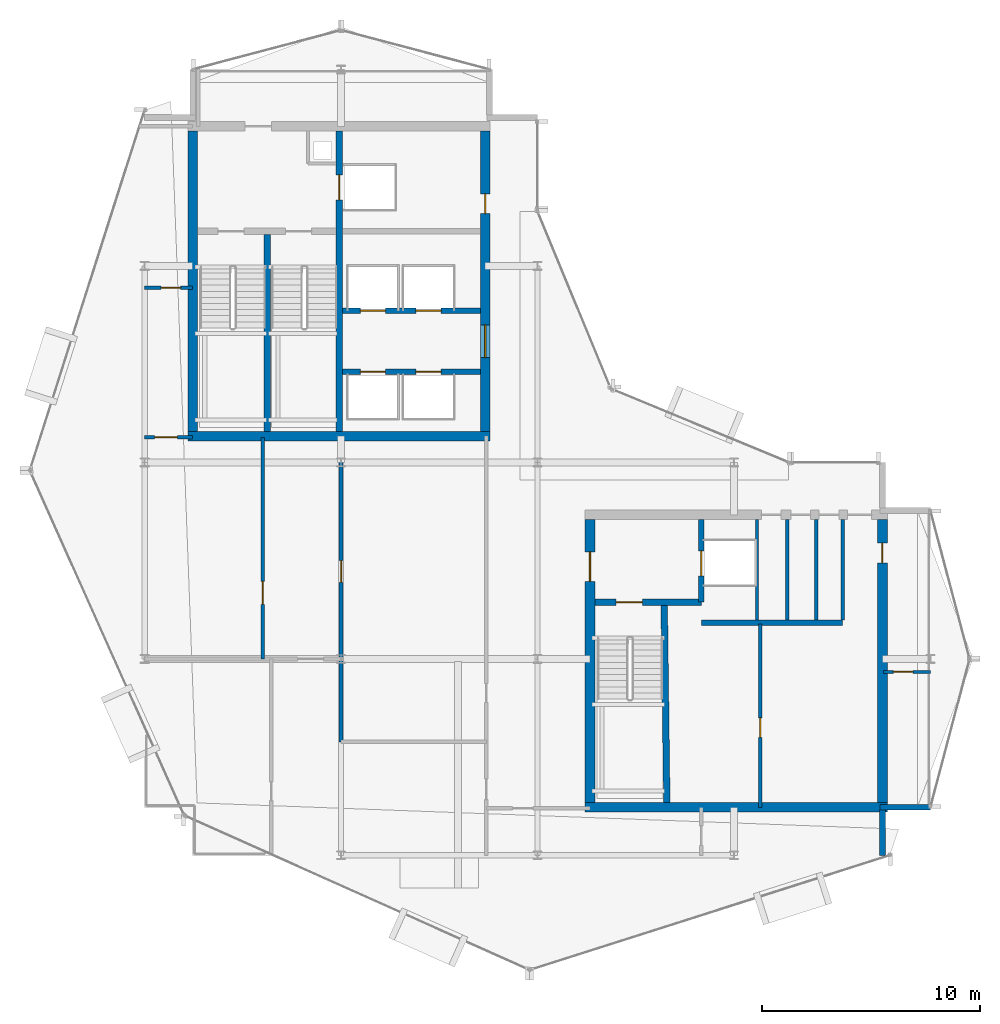
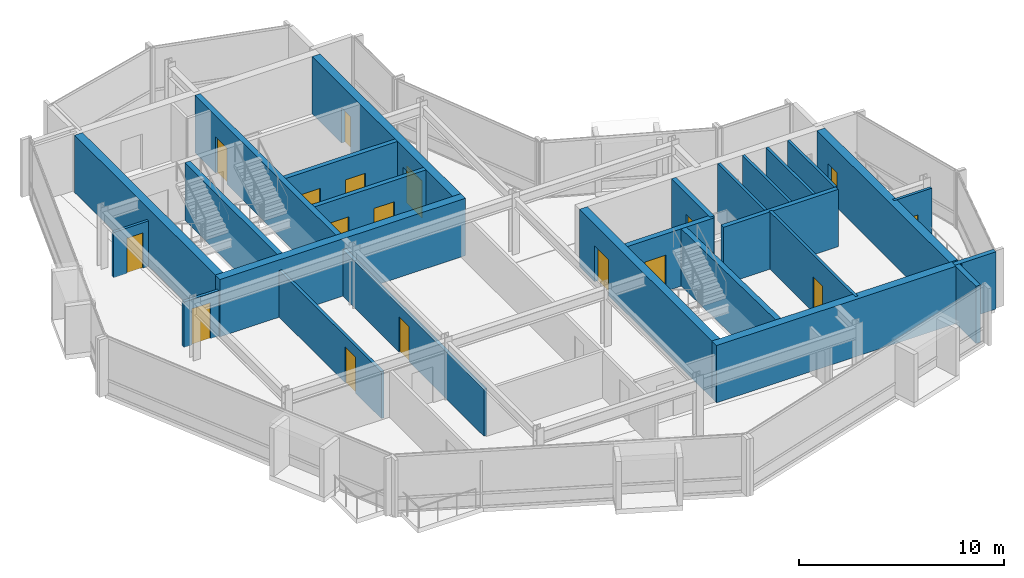
# One storey, part 14 of 19: 26 walls, 17 doors, 17 openings.
"""IFC4 building model written with IfcOpenShell, lengths in metres."""

from ifc_helpers import new_model, si_unit, direction, frame, frame_2d, origin, place, context, subcontext, project, spatial, rectangle, extrude, material, layer, layer_set, type_object, element, fill, save


model = new_model("IFC4")

# Units and contexts
model_context = context("Model", 3, precision=1e-05, world=origin(), true_north=direction((0.0, 1.0)))
body_context = subcontext(model_context, "Body", "Model", "MODEL_VIEW")
ifc_project = project(units=[si_unit("LENGTHUNIT", "METRE"), si_unit("AREAUNIT", "SQUARE_METRE"), si_unit("VOLUMEUNIT", "CUBIC_METRE"), si_unit("PLANEANGLEUNIT", "RADIAN"), si_unit("MASSUNIT", "GRAM", prefix="KILO")], contexts=[model_context])

# Site, building, storey
site_placement = place(None, origin())
site = spatial("IfcSite", under=ifc_project, at=site_placement, CompositionType="ELEMENT")
building_placement = place(site_placement, origin())
building = spatial("IfcBuilding", under=site, at=building_placement, Name="Solvaryn Broadcast Tower", CompositionType="ELEMENT")
storey_placement = place(building_placement, frame((0.0, 0.0, 255.60009765625)))
storey = spatial("IfcBuildingStorey", under=building, at=storey_placement, Name="L64", CompositionType="ELEMENT", Elevation=255.60009765625)

# Walls
ifc_material_1 = material(Name="Concrete f'c 70 MPa", Category="concrete")
ifc_layer_1 = layer(ifc_material_1, 0.449951171875)
ifc_layer_set_1 = layer_set([ifc_layer_1], Name="CW-SHEAR-450")
wall_type_1 = type_object("IfcWallType", Name="CW-SHEAR-450", PredefinedType="SHEAR", material=ifc_layer_set_1)
wall_1_placement = place(storey_placement, frame((10.97509765625, 28.199951171875, 0.0), z_axis=(0.0, 0.0, 1.0), x_axis=(1.0, 0.0, 0.0)))
element("IfcWall", 1, at=wall_1_placement, inside=storey, type_object=wall_type_1, Name="L64 West Core South Shear Wall", PredefinedType="SHEAR", context=body_context, shape_type="SweptSolid", body=[
    extrude(rectangle(XDim=13.849853515625, YDim=0.449951171875, at=frame_2d((6.9248046875, 0.0))), origin(), (0.0, 0.0, 1.0), 3.419921875),
])
wall_2_placement = place(storey_placement, frame((11.199951171875, 42.175048828125, 0.0), z_axis=(0.0, 0.0, 1.0), x_axis=(0.0, -1.0, 0.0)))
element("IfcWall", 2, at=wall_2_placement, inside=storey, type_object=wall_type_1, Name="L64 West Core West Shear Wall", PredefinedType="SHEAR", context=body_context, shape_type="SweptSolid", body=[
    extrude(rectangle(XDim=13.75, YDim=0.449951171875, at=frame_2d((6.875, 0.0))), origin(), (0.0, 0.0, 1.0), 3.419921875),
])

# Wall, openings, doors
wall_3_placement = place(storey_placement, frame((24.60009765625, 28.425048828125, 0.0), z_axis=(0.0, 0.0, 1.0), x_axis=(0.0, 1.0, 0.0)))
wall_3 = element("IfcWall", 3, at=wall_3_placement, inside=storey, type_object=wall_type_1, Name="L64 West Core East Shear Wall", PredefinedType="SHEAR", context=body_context, shape_type="SweptSolid", body=[
    extrude(rectangle(XDim=13.75, YDim=0.449951171875, at=frame_2d((6.875, 0.0))), origin(), (0.0, 0.0, 1.0), 3.419921875),
])
opening_1_placement = place(wall_3_placement, frame((3.375, 0.0, 0.0)))
opening_1 = element("IfcOpeningElement", 4, at=opening_1_placement, cuts=wall_3, Name="Opening FD60A", PredefinedType="OPENING", context=body_context, shape_type="SweptSolid", body=[
    extrude(rectangle(XDim=1.5, YDim=2.199951171875, at=frame_2d((0.75, 1.10009765625))), frame((0.0, 0.235107421875, 0.0), z_axis=(0.0, -1.0, 0.0), x_axis=(1.0, 0.0, 0.0)), (0.0, 0.0, 1.0), 0.469970703125),
])
opening_2_placement = place(wall_3_placement, frame((9.97509765625, 0.0, 0.0)))
opening_2 = element("IfcOpeningElement", 5, at=opening_2_placement, cuts=wall_3, Name="Opening FD60C", PredefinedType="OPENING", context=body_context, shape_type="SweptSolid", body=[
    extrude(rectangle(XDim=0.89990234375, YDim=2.10009765625, at=frame_2d((0.449951171875, 1.050048828125))), frame((0.0, 0.235107421875, 0.0), z_axis=(0.0, -1.0, 0.0), x_axis=(1.0, 0.0, 0.0)), (0.0, 0.0, 1.0), 0.469970703125),
])
ifc_material_2 = material(Name="Flush Acoustic Steel and Timber Door Assembly", Category="steel")
door_type_1 = type_object("IfcDoorType", Name="FD60-CORR-1500X2200", OperationType="NOTDEFINED", PredefinedType="DOOR", material=ifc_material_2)
door_1_placement = place(opening_1_placement, origin())
door_1 = element("IfcDoor", 6, at=door_1_placement, inside=storey, type_object=door_type_1, Name="L64 West Elevator Lobby Corridor Door", OperationType="DOUBLE_DOOR_SINGLE_SWING", OverallHeight=2.199951171875, OverallWidth=1.5, PredefinedType="DOOR", context=body_context, shape_type="SweptSolid", body=[
    extrude(rectangle(XDim=1.5, YDim=2.199951171875, at=frame_2d((0.75, 1.10009765625))), frame((0.0, 0.02490234375, 0.0), z_axis=(0.0, -1.0, 0.0), x_axis=(1.0, 0.0, 0.0)), (0.0, 0.0, 1.0), 0.050048828125),
])
fill(opening_1, door_1)
ifc_material_3 = material(Name="Flush Acoustic Steel and Timber Door Assembly", Category="steel")
door_type_2 = type_object("IfcDoorType", Name="FD60-SERV-900X2100", OperationType="NOTDEFINED", PredefinedType="DOOR", material=ifc_material_3)
door_2_placement = place(opening_2_placement, origin())
door_2 = element("IfcDoor", 7, at=door_2_placement, inside=storey, type_object=door_type_2, Name="L64 West Core Service Door 1", OperationType="SINGLE_SWING_LEFT", OverallHeight=2.10009765625, OverallWidth=0.89990234375, PredefinedType="DOOR", context=body_context, shape_type="SweptSolid", body=[
    extrude(rectangle(XDim=0.89990234375, YDim=2.10009765625, at=frame_2d((0.449951171875, 1.050048828125))), frame((0.0, 0.02490234375, 0.0), z_axis=(0.0, -1.0, 0.0), x_axis=(1.0, 0.0, 0.0)), (0.0, 0.0, 1.0), 0.050048828125),
])
fill(opening_2, door_2)

# Wall
wall_4_placement = place(storey_placement, frame((29.175048828125, 11.199951171875, 0.0), z_axis=(0.0, 0.0, 1.0), x_axis=(1.0, 0.0, 0.0)))
element("IfcWall", 8, at=wall_4_placement, inside=storey, type_object=wall_type_1, Name="L64 East Core South Shear Wall", PredefinedType="SHEAR", context=body_context, shape_type="SweptSolid", body=[
    extrude(rectangle(XDim=13.849853515625, YDim=0.449951171875, at=frame_2d((6.9248046875, 0.0))), origin(), (0.0, 0.0, 1.0), 3.419921875),
])

# Wall, opening, door
wall_5_placement = place(storey_placement, frame((29.39990234375, 24.375, 0.0), z_axis=(0.0, 0.0, 1.0), x_axis=(0.0, -1.0, 0.0)))
wall_5 = element("IfcWall", 9, at=wall_5_placement, inside=storey, type_object=wall_type_1, Name="L64 East Core West Shear Wall", PredefinedType="SHEAR", context=body_context, shape_type="SweptSolid", body=[
    extrude(rectangle(XDim=12.949951171875, YDim=0.449951171875, at=frame_2d((6.47509765625, 0.0))), origin(), (0.0, 0.0, 1.0), 3.419921875),
])
opening_3_placement = place(wall_5_placement, frame((1.47509765625, 0.0, 0.0)))
opening_3 = element("IfcOpeningElement", 10, at=opening_3_placement, cuts=wall_5, Name="Opening FD90B", PredefinedType="OPENING", context=body_context, shape_type="SweptSolid", body=[
    extrude(rectangle(XDim=1.35009765625, YDim=2.14990234375, at=frame_2d((0.675048828125, 1.074951171875))), frame((0.0, 0.235107421875, 0.0), z_axis=(0.0, -1.0, 0.0), x_axis=(1.0, 0.0, 0.0)), (0.0, 0.0, 1.0), 0.469970703125),
])
ifc_material_4 = material(Name="Flush Acoustic Steel and Timber Door Assembly", Category="steel")
door_type_3 = type_object("IfcDoorType", Name="FD90-LOBBY-1350X2150", OperationType="NOTDEFINED", PredefinedType="DOOR", material=ifc_material_4)
door_3_placement = place(opening_3_placement, origin())
door_3 = element("IfcDoor", 11, at=door_3_placement, inside=storey, type_object=door_type_3, Name="L64 East FSAE Lobby Door", OperationType="SINGLE_SWING_RIGHT", OverallHeight=2.14990234375, OverallWidth=1.35009765625, PredefinedType="DOOR", context=body_context, shape_type="SweptSolid", body=[
    extrude(rectangle(XDim=1.35009765625, YDim=2.14990234375, at=frame_2d((0.675048828125, 1.074951171875))), frame((0.0, 0.02490234375, 0.0), z_axis=(0.0, -1.0, 0.0), x_axis=(1.0, 0.0, 0.0)), (0.0, 0.0, 1.0), 0.050048828125),
])
fill(opening_3, door_3)

wall_6_placement = place(storey_placement, frame((42.800048828125, 11.425048828125, 0.0), z_axis=(0.0, 0.0, 1.0), x_axis=(0.0, 1.0, 0.0)))
wall_6 = element("IfcWall", 12, at=wall_6_placement, inside=storey, type_object=wall_type_1, Name="L64 East Core East Shear Wall", PredefinedType="SHEAR", context=body_context, shape_type="SweptSolid", body=[
    extrude(rectangle(XDim=12.949951171875, YDim=0.449951171875, at=frame_2d((6.47509765625, 0.0))), origin(), (0.0, 0.0, 1.0), 3.419921875),
])
opening_4_placement = place(wall_6_placement, frame((10.97509765625, 0.0, 0.0)))
opening_4 = element("IfcOpeningElement", 13, at=opening_4_placement, cuts=wall_6, Name="Opening FD60C", PredefinedType="OPENING", context=body_context, shape_type="SweptSolid", body=[
    extrude(rectangle(XDim=0.89990234375, YDim=2.10009765625, at=frame_2d((0.449951171875, 1.050048828125))), frame((0.0, 0.235107421875, 0.0), z_axis=(0.0, -1.0, 0.0), x_axis=(1.0, 0.0, 0.0)), (0.0, 0.0, 1.0), 0.469970703125),
])
door_4_placement = place(opening_4_placement, origin())
door_4 = element("IfcDoor", 14, at=door_4_placement, inside=storey, type_object=door_type_2, Name="L64 Upper East Studio Door", OperationType="SINGLE_SWING_RIGHT", OverallHeight=2.10009765625, OverallWidth=0.89990234375, PredefinedType="DOOR", context=body_context, shape_type="SweptSolid", body=[
    extrude(rectangle(XDim=0.89990234375, YDim=2.10009765625, at=frame_2d((0.449951171875, 1.050048828125))), frame((0.0, 0.02490234375, 0.0), z_axis=(0.0, -1.0, 0.0), x_axis=(1.0, 0.0, 0.0)), (0.0, 0.0, 1.0), 0.050048828125),
])
fill(opening_4, door_4)

# Walls
ifc_material_5 = material(Name="Concrete f'c 50 MPa", Category="concrete")
ifc_layer_2 = layer(ifc_material_5, 0.260009765625)
ifc_layer_set_2 = layer_set([ifc_layer_2], Name="EW-PIER-260")
wall_type_2 = type_object("IfcWallType", Name="EW-PIER-260", PredefinedType="SOLIDWALL", material=ifc_layer_set_2)
wall_7_placement = place(storey_placement, frame((42.800048828125, 9.0, 0.0), z_axis=(0.0, 0.0, 1.0), x_axis=(0.0, 1.0, 0.0)))
element("IfcWall", 15, at=wall_7_placement, inside=storey, type_object=wall_type_2, Name="L64 Notched Corner Pier Wall NSE1", PredefinedType="SOLIDWALL", context=body_context, shape_type="SweptSolid", body=[
    extrude(rectangle(XDim=2.080078125, YDim=0.260009765625, at=frame_2d((1.0400390625, 0.0))), origin(), (0.0, 0.0, 1.0), 3.419921875),
])
wall_8_placement = place(storey_placement, frame((42.679931640625, 11.199951171875, 0.0), z_axis=(0.0, 0.0, 1.0), x_axis=(1.0, 0.0, 0.0)))
element("IfcWall", 16, at=wall_8_placement, inside=storey, type_object=wall_type_2, Name="L64 Notched Corner Pier Wall NSE2", PredefinedType="SOLIDWALL", context=body_context, shape_type="SweptSolid", body=[
    extrude(rectangle(XDim=2.320068359375, YDim=0.260009765625, at=frame_2d((1.16015625, 0.0))), origin(), (0.0, 0.0, 1.0), 3.419921875),
])

# Wall, opening, door
ifc_material_6 = material(Name="Metal-Stud Service Core Partition")
ifc_layer_3 = layer(ifc_material_6, 0.14990234375)
ifc_layer_set_3 = layer_set([ifc_layer_3], Name="IW-PART-150")
wall_type_3 = type_object("IfcWallType", Name="IW-PART-150", PredefinedType="PARTITIONING", material=ifc_layer_set_3)
wall_9_placement = place(storey_placement, frame((37.199951171875, 11.199951171875, 0.0), z_axis=(0.0, 0.0, 1.0), x_axis=(0.0, 1.0, 0.0)))
wall_9 = element("IfcWall", 17, at=wall_9_placement, inside=storey, type_object=wall_type_3, Name="L64 Interior Partition IW-L64-RPM-V", PredefinedType="PARTITIONING", context=body_context, shape_type="SweptSolid", body=[
    extrude(rectangle(XDim=8.400146484375, YDim=0.14990234375, at=frame_2d((4.2001953125, 0.0))), origin(), (0.0, 0.0, 1.0), 3.419921875),
])
opening_5_placement = place(wall_9_placement, frame((3.199951171875, 0.0, 0.0)))
opening_5 = element("IfcOpeningElement", 18, at=opening_5_placement, cuts=wall_9, Name="Opening FD60C", PredefinedType="OPENING", context=body_context, shape_type="SweptSolid", body=[
    extrude(rectangle(XDim=0.89990234375, YDim=2.10009765625, at=frame_2d((0.449951171875, 1.050048828125))), frame((0.0, 0.0849609375, 0.0), z_axis=(0.0, -1.0, 0.0), x_axis=(1.0, 0.0, 0.0)), (0.0, 0.0, 1.0), 0.169921875),
])
door_5_placement = place(opening_5_placement, origin())
door_5 = element("IfcDoor", 19, at=door_5_placement, inside=storey, type_object=door_type_2, Name="L64 Door DR-L64-RPM1", OperationType="SINGLE_SWING_LEFT", OverallHeight=2.10009765625, OverallWidth=0.89990234375, PredefinedType="DOOR", context=body_context, shape_type="SweptSolid", body=[
    extrude(rectangle(XDim=0.89990234375, YDim=2.10009765625, at=frame_2d((0.449951171875, 1.050048828125))), frame((0.0, 0.02490234375, 0.0), z_axis=(0.0, -1.0, 0.0), x_axis=(1.0, 0.0, 0.0)), (0.0, 0.0, 1.0), 0.050048828125),
])
fill(opening_5, door_5)

# Walls
for number, where, z_axis, x_axis, name in (
    (20, (37.050048828125, 19.780029296875, 0.0), (0.0, 0.0, 1.0), (0.0, 1.0, 0.0), "L64 Interior Partition IW-L64-CE-FL2E"),
    (21, (38.43994140625, 19.780029296875, 0.0), (0.0, 0.0, 1.0), (0.0, 1.0, 0.0), "L64 Interior Partition IW-L64-CE-V1"),
    (22, (39.77001953125, 19.780029296875, 0.0), (0.0, 0.0, 1.0), (0.0, 1.0, 0.0), "L64 Interior Partition IW-L64-CE-V2"),
    (23, (40.97998046875, 19.780029296875, 0.0), (0.0, 0.0, 1.0), (0.0, 1.0, 0.0), "L64 Interior Partition IW-L64-CE-V3"),
):
    element("IfcWall", number, at=place(storey_placement, frame(where, z_axis=z_axis, x_axis=x_axis)), inside=storey, type_object=wall_type_3, Name=name, PredefinedType="PARTITIONING", context=body_context, shape_type="SweptSolid", body=[
        extrude(rectangle(XDim=4.594970703125, YDim=0.14990234375, at=frame_2d((2.29736328125, 0.0))), origin(), (0.0, 0.0, 1.0), 3.419921875),
    ])

# Wall, opening, door
wall_10_placement = place(storey_placement, frame((9.0, 35.0, 0.0), z_axis=(0.0, 0.0, 1.0), x_axis=(1.0, 0.0, 0.0)))
wall_10 = element("IfcWall", 24, at=wall_10_placement, inside=storey, type_object=wall_type_3, Name="L64 Interior Partition IW-L64-WM-M", PredefinedType="PARTITIONING", context=body_context, shape_type="SweptSolid", body=[
    extrude(rectangle(XDim=2.199951171875, YDim=0.14990234375, at=frame_2d((1.10009765625, 0.0))), origin(), (0.0, 0.0, 1.0), 2.706787109375),
])
opening_6_placement = place(wall_10_placement, frame((0.75, 0.0, 0.0)))
opening_6 = element("IfcOpeningElement", 25, at=opening_6_placement, cuts=wall_10, Name="Opening FD60C", PredefinedType="OPENING", context=body_context, shape_type="SweptSolid", body=[
    extrude(rectangle(XDim=0.89990234375, YDim=2.10009765625, at=frame_2d((0.449951171875, 1.050048828125))), frame((0.0, 0.0849609375, 0.0), z_axis=(0.0, -1.0, 0.0), x_axis=(1.0, 0.0, 0.0)), (0.0, 0.0, 1.0), 0.169921875),
])
door_6_placement = place(opening_6_placement, origin())
door_6 = element("IfcDoor", 26, at=door_6_placement, inside=storey, type_object=door_type_2, Name="L64 Door DR-L64-WM1", OperationType="SINGLE_SWING_LEFT", OverallHeight=2.10009765625, OverallWidth=0.89990234375, PredefinedType="DOOR", context=body_context, shape_type="SweptSolid", body=[
    extrude(rectangle(XDim=0.89990234375, YDim=2.10009765625, at=frame_2d((0.449951171875, 1.050048828125))), frame((0.0, 0.02490234375, 0.0), z_axis=(0.0, -1.0, 0.0), x_axis=(1.0, 0.0, 0.0)), (0.0, 0.0, 1.0), 0.050048828125),
])
fill(opening_6, door_6)

wall_11_placement = place(storey_placement, frame((42.85009765625, 17.39990234375, 0.0), z_axis=(0.0, 0.0, 1.0), x_axis=(1.0, 0.0, 0.0)))
wall_11 = element("IfcWall", 27, at=wall_11_placement, inside=storey, type_object=wall_type_3, Name="L64 Interior Partition IW-L64-E4M", PredefinedType="PARTITIONING", context=body_context, shape_type="SweptSolid", body=[
    extrude(rectangle(XDim=2.14990234375, YDim=0.14990234375, at=frame_2d((1.074951171875, 0.0))), origin(), (0.0, 0.0, 1.0), 3.419921875),
])
opening_7_placement = place(wall_11_placement, frame((0.449951171875, 0.0, 0.0)))
opening_7 = element("IfcOpeningElement", 28, at=opening_7_placement, cuts=wall_11, Name="Opening FD60C", PredefinedType="OPENING", context=body_context, shape_type="SweptSolid", body=[
    extrude(rectangle(XDim=0.89990234375, YDim=2.10009765625, at=frame_2d((0.449951171875, 1.050048828125))), frame((0.0, 0.0849609375, 0.0), z_axis=(0.0, -1.0, 0.0), x_axis=(1.0, 0.0, 0.0)), (0.0, 0.0, 1.0), 0.169921875),
])
door_7_placement = place(opening_7_placement, origin())
door_7 = element("IfcDoor", 29, at=door_7_placement, inside=storey, type_object=door_type_2, Name="L64 Door DR-L64-E4M", OperationType="SINGLE_SWING_RIGHT", OverallHeight=2.10009765625, OverallWidth=0.89990234375, PredefinedType="DOOR", context=body_context, shape_type="SweptSolid", body=[
    extrude(rectangle(XDim=0.89990234375, YDim=2.10009765625, at=frame_2d((0.449951171875, 1.050048828125))), frame((0.0, 0.02490234375, 0.0), z_axis=(0.0, -1.0, 0.0), x_axis=(1.0, 0.0, 0.0)), (0.0, 0.0, 1.0), 0.050048828125),
])
fill(opening_7, door_7)

ifc_material_7 = material(Name="Metal-Stud Gypsum Office Partition")
ifc_layer_4 = layer(ifc_material_7, 0.159912109375)
ifc_layer_set_4 = layer_set([ifc_layer_4], Name="IW-PART-160")
wall_type_4 = type_object("IfcWallType", Name="IW-PART-160", PredefinedType="PARTITIONING", material=ifc_layer_set_4)
wall_12_placement = place(storey_placement, frame((9.0, 28.14990234375, 0.0), z_axis=(0.0, 0.0, 1.0), x_axis=(1.0, 0.0, 0.0)))
wall_12 = element("IfcWall", 30, at=wall_12_placement, inside=storey, type_object=wall_type_4, Name="L64 Interior Partition IW-L64-WM-S", PredefinedType="PARTITIONING", context=body_context, shape_type="SweptSolid", body=[
    extrude(rectangle(XDim=2.199951171875, YDim=0.159912109375, at=frame_2d((1.10009765625, 0.0))), origin(), (0.0, 0.0, 1.0), 2.706787109375),
])
opening_8_placement = place(wall_12_placement, frame((0.449951171875, 0.0, 0.0)))
opening_8 = element("IfcOpeningElement", 31, at=opening_8_placement, cuts=wall_12, Name="Opening ID03", PredefinedType="OPENING", context=body_context, shape_type="SweptSolid", body=[
    extrude(rectangle(XDim=1.050048828125, YDim=2.14990234375, at=frame_2d((0.52490234375, 1.074951171875))), frame((0.0, 0.090087890625, 0.0), z_axis=(0.0, -1.0, 0.0), x_axis=(1.0, 0.0, 0.0)), (0.0, 0.0, 1.0), 0.179931640625),
])
ifc_material_8 = material(Name="Flush Acoustic Steel and Timber Door Assembly", Category="steel")
door_type_4 = type_object("IfcDoorType", Name="ID-03-1050X2150", OperationType="NOTDEFINED", PredefinedType="DOOR", material=ifc_material_8)
door_8_placement = place(opening_8_placement, origin())
door_8 = element("IfcDoor", 32, at=door_8_placement, inside=storey, type_object=door_type_4, Name="L64 Door DR-L64-WM0", OperationType="SINGLE_SWING_RIGHT", OverallHeight=2.14990234375, OverallWidth=1.050048828125, PredefinedType="DOOR", context=body_context, shape_type="SweptSolid", body=[
    extrude(rectangle(XDim=1.050048828125, YDim=2.14990234375, at=frame_2d((0.52490234375, 1.074951171875))), frame((0.0, 0.02490234375, 0.0), z_axis=(0.0, -1.0, 0.0), x_axis=(1.0, 0.0, 0.0)), (0.0, 0.0, 1.0), 0.050048828125),
])
fill(opening_8, door_8)

wall_13_placement = place(storey_placement, frame((14.39990234375, 18.0, 0.0), z_axis=(0.0, 0.0, 1.0), x_axis=(0.0, 1.0, 0.0)))
wall_13 = element("IfcWall", 33, at=wall_13_placement, inside=storey, type_object=wall_type_4, Name="L64 Interior Partition IW-L64-SW-NWV", PredefinedType="PARTITIONING", context=body_context, shape_type="SweptSolid", body=[
    extrude(rectangle(XDim=10.1298828125, YDim=0.159912109375, at=frame_2d((5.06494140625, 0.0))), origin(), (0.0, 0.0, 1.0), 2.788818359375),
])
opening_9_placement = place(wall_13_placement, frame((2.5, 0.0, 0.0)))
opening_9 = element("IfcOpeningElement", 34, at=opening_9_placement, cuts=wall_13, Name="Opening ID03", PredefinedType="OPENING", context=body_context, shape_type="SweptSolid", body=[
    extrude(rectangle(XDim=1.050048828125, YDim=2.14990234375, at=frame_2d((0.52490234375, 1.074951171875))), frame((0.0, 0.090087890625, 0.0), z_axis=(0.0, -1.0, 0.0), x_axis=(1.0, 0.0, 0.0)), (0.0, 0.0, 1.0), 0.179931640625),
])
door_9_placement = place(opening_9_placement, origin())
door_9 = element("IfcDoor", 35, at=door_9_placement, inside=storey, type_object=door_type_4, Name="L64 Door DR-L64-SWL-NW", OperationType="SINGLE_SWING_LEFT", OverallHeight=2.14990234375, OverallWidth=1.050048828125, PredefinedType="DOOR", context=body_context, shape_type="SweptSolid", body=[
    extrude(rectangle(XDim=1.050048828125, YDim=2.14990234375, at=frame_2d((0.52490234375, 1.074951171875))), frame((0.0, 0.02490234375, 0.0), z_axis=(0.0, -1.0, 0.0), x_axis=(1.0, 0.0, 0.0)), (0.0, 0.0, 1.0), 0.050048828125),
])
fill(opening_9, door_9)

ifc_material_9 = material(Name="Acoustic Metal-Stud Gypsum Partition")
ifc_layer_5 = layer(ifc_material_9, 0.179931640625)
ifc_layer_set_5 = layer_set([ifc_layer_5], Name="IW-PART-180")
wall_type_5 = type_object("IfcWallType", Name="IW-PART-180", PredefinedType="PARTITIONING", material=ifc_layer_set_5)
wall_14_placement = place(storey_placement, frame((18.0, 14.199951171875, 0.0), z_axis=(0.0, 0.0, 1.0), x_axis=(0.0, 1.0, 0.0)))
wall_14 = element("IfcWall", 36, at=wall_14_placement, inside=storey, type_object=wall_type_5, Name="L64 Interior Partition IW-L64-SW-LV", PredefinedType="PARTITIONING", context=body_context, shape_type="SweptSolid", body=[
    extrude(rectangle(XDim=13.929931640625, YDim=0.179931640625, at=frame_2d((6.96484375, 0.0))), origin(), (0.0, 0.0, 1.0), 2.788818359375),
])
opening_10_placement = place(wall_14_placement, frame((7.300048828125, 0.0, 0.0)))
opening_10 = element("IfcOpeningElement", 37, at=opening_10_placement, cuts=wall_14, Name="Opening ID02", PredefinedType="OPENING", context=body_context, shape_type="SweptSolid", body=[
    extrude(rectangle(XDim=1.0, YDim=2.10009765625, at=frame_2d((0.5, 1.050048828125))), frame((0.0, 0.099853515625, 0.0), z_axis=(0.0, -1.0, 0.0), x_axis=(1.0, 0.0, 0.0)), (0.0, 0.0, 1.0), 0.199951171875),
])
ifc_material_10 = material(Name="Flush Acoustic Steel and Timber Door Assembly", Category="steel")
door_type_5 = type_object("IfcDoorType", Name="ID-02-1000X2100", OperationType="NOTDEFINED", PredefinedType="DOOR", material=ifc_material_10)
door_10_placement = place(opening_10_placement, origin())
door_10 = element("IfcDoor", 38, at=door_10_placement, inside=storey, type_object=door_type_5, Name="L64 Door DR-L64-SWL-LV", OperationType="SINGLE_SWING_RIGHT", OverallHeight=2.10009765625, OverallWidth=1.0, PredefinedType="DOOR", context=body_context, shape_type="SweptSolid", body=[
    extrude(rectangle(XDim=1.0, YDim=2.10009765625, at=frame_2d((0.5, 1.050048828125))), frame((0.0, 0.02490234375, 0.0), z_axis=(0.0, -1.0, 0.0), x_axis=(1.0, 0.0, 0.0)), (0.0, 0.0, 1.0), 0.050048828125),
])
fill(opening_10, door_10)

# Wall, openings, doors
ifc_material_11 = material(Name="Concrete f'c 60 MPa", Category="concrete")
ifc_layer_6 = layer(ifc_material_11, 0.25)
ifc_layer_set_6 = layer_set([ifc_layer_6], Name="SW-SHAFT-250")
wall_type_6 = type_object("IfcWallType", Name="SW-SHAFT-250", PredefinedType="PARTITIONING", material=ifc_layer_set_6)
wall_15_placement = place(storey_placement, frame((18.070068359375, 31.14990234375, 0.0), z_axis=(0.0, 0.0, 1.0), x_axis=(1.0, 0.0, 0.0)))
wall_15 = element("IfcWall", 39, at=wall_15_placement, inside=storey, type_object=wall_type_6, Name="L64 High-Rise Lift Bank South Wall", PredefinedType="PARTITIONING", context=body_context, shape_type="SweptSolid", body=[
    extrude(rectangle(XDim=6.304931640625, YDim=0.25, at=frame_2d((3.15234375, 0.0))), origin(), (0.0, 0.0, 1.0), 3.419921875),
])
opening_11_placement = place(wall_15_placement, frame((0.804931640625, 0.0, 0.0)))
opening_11 = element("IfcOpeningElement", 40, at=opening_11_placement, cuts=wall_15, Name="Opening LD01", PredefinedType="OPENING", context=body_context, shape_type="SweptSolid", body=[
    extrude(rectangle(XDim=1.14990234375, YDim=2.14990234375, at=frame_2d((0.574951171875, 1.074951171875))), frame((0.0, 0.135009765625, 0.0), z_axis=(0.0, -1.0, 0.0), x_axis=(1.0, 0.0, 0.0)), (0.0, 0.0, 1.0), 0.27001953125),
])
opening_12_placement = place(wall_15_placement, frame((3.35498046875, 0.0, 0.0)))
opening_12 = element("IfcOpeningElement", 41, at=opening_12_placement, cuts=wall_15, Name="Opening LD01", PredefinedType="OPENING", context=body_context, shape_type="SweptSolid", body=[
    extrude(rectangle(XDim=1.14990234375, YDim=2.14990234375, at=frame_2d((0.574951171875, 1.074951171875))), frame((0.0, 0.135009765625, 0.0), z_axis=(0.0, -1.0, 0.0), x_axis=(1.0, 0.0, 0.0)), (0.0, 0.0, 1.0), 0.27001953125),
])
ifc_material_12 = material(Name="Flush Acoustic Steel and Timber Door Assembly", Category="steel")
door_type_6 = type_object("IfcDoorType", Name="LD-LIFT-1150X2150", OperationType="NOTDEFINED", PredefinedType="DOOR", material=ifc_material_12)
door_11_placement = place(opening_11_placement, origin())
door_11 = element("IfcDoor", 42, at=door_11_placement, inside=storey, type_object=door_type_6, Name="L64 PH1 Lift Landing Door", OperationType="DOUBLE_DOOR_SLIDING", OverallHeight=2.14990234375, OverallWidth=1.14990234375, PredefinedType="DOOR", context=body_context, shape_type="SweptSolid", body=[
    extrude(rectangle(XDim=1.14990234375, YDim=2.14990234375, at=frame_2d((0.574951171875, 1.074951171875))), frame((0.0, 0.02490234375, 0.0), z_axis=(0.0, -1.0, 0.0), x_axis=(1.0, 0.0, 0.0)), (0.0, 0.0, 1.0), 0.050048828125),
])
fill(opening_11, door_11)
door_12_placement = place(opening_12_placement, origin())
door_12 = element("IfcDoor", 43, at=door_12_placement, inside=storey, type_object=door_type_6, Name="L64 PH2 Lift Landing Door", OperationType="DOUBLE_DOOR_SLIDING", OverallHeight=2.14990234375, OverallWidth=1.14990234375, PredefinedType="DOOR", context=body_context, shape_type="SweptSolid", body=[
    extrude(rectangle(XDim=1.14990234375, YDim=2.14990234375, at=frame_2d((0.574951171875, 1.074951171875))), frame((0.0, 0.02490234375, 0.0), z_axis=(0.0, -1.0, 0.0), x_axis=(1.0, 0.0, 0.0)), (0.0, 0.0, 1.0), 0.050048828125),
])
fill(opening_12, door_12)

wall_16_placement = place(storey_placement, frame((24.375, 33.949951171875, 0.0), z_axis=(0.0, 0.0, 1.0), x_axis=(-1.0, 0.0, 0.0)))
wall_16 = element("IfcWall", 44, at=wall_16_placement, inside=storey, type_object=wall_type_6, Name="L64 High-Rise Lift Bank North Wall", PredefinedType="PARTITIONING", context=body_context, shape_type="SweptSolid", body=[
    extrude(rectangle(XDim=6.304931640625, YDim=0.25, at=frame_2d((3.15234375, 0.0))), origin(), (0.0, 0.0, 1.0), 3.419921875),
])
opening_13_placement = place(wall_16_placement, frame((4.35009765625, 0.0, 0.0)))
opening_13 = element("IfcOpeningElement", 45, at=opening_13_placement, cuts=wall_16, Name="Opening LD01", PredefinedType="OPENING", context=body_context, shape_type="SweptSolid", body=[
    extrude(rectangle(XDim=1.14990234375, YDim=2.14990234375, at=frame_2d((0.574951171875, 1.074951171875))), frame((0.0, 0.135009765625, 0.0), z_axis=(0.0, -1.0, 0.0), x_axis=(1.0, 0.0, 0.0)), (0.0, 0.0, 1.0), 0.27001953125),
])
opening_14_placement = place(wall_16_placement, frame((1.800048828125, 0.0, 0.0)))
opening_14 = element("IfcOpeningElement", 46, at=opening_14_placement, cuts=wall_16, Name="Opening LD01", PredefinedType="OPENING", context=body_context, shape_type="SweptSolid", body=[
    extrude(rectangle(XDim=1.14990234375, YDim=2.14990234375, at=frame_2d((0.574951171875, 1.074951171875))), frame((0.0, 0.135009765625, 0.0), z_axis=(0.0, -1.0, 0.0), x_axis=(1.0, 0.0, 0.0)), (0.0, 0.0, 1.0), 0.27001953125),
])
door_13_placement = place(opening_13_placement, origin())
door_13 = element("IfcDoor", 47, at=door_13_placement, inside=storey, type_object=door_type_6, Name="L64 PH3 Lift Landing Door", OperationType="DOUBLE_DOOR_SLIDING", OverallHeight=2.14990234375, OverallWidth=1.14990234375, PredefinedType="DOOR", context=body_context, shape_type="SweptSolid", body=[
    extrude(rectangle(XDim=1.14990234375, YDim=2.14990234375, at=frame_2d((0.574951171875, 1.074951171875))), frame((0.0, 0.02490234375, 0.0), z_axis=(0.0, -1.0, 0.0), x_axis=(1.0, 0.0, 0.0)), (0.0, 0.0, 1.0), 0.050048828125),
])
fill(opening_13, door_13)
door_14_placement = place(opening_14_placement, origin())
door_14 = element("IfcDoor", 48, at=door_14_placement, inside=storey, type_object=door_type_6, Name="L64 PH4 Lift Landing Door", OperationType="DOUBLE_DOOR_SLIDING", OverallHeight=2.14990234375, OverallWidth=1.14990234375, PredefinedType="DOOR", context=body_context, shape_type="SweptSolid", body=[
    extrude(rectangle(XDim=1.14990234375, YDim=2.14990234375, at=frame_2d((0.574951171875, 1.074951171875))), frame((0.0, 0.02490234375, 0.0), z_axis=(0.0, -1.0, 0.0), x_axis=(1.0, 0.0, 0.0)), (0.0, 0.0, 1.0), 0.050048828125),
])
fill(opening_14, door_14)

# Wall, opening, door
wall_17_placement = place(storey_placement, frame((34.5, 20.60009765625, 0.0), z_axis=(0.0, 0.0, 1.0), x_axis=(0.0, 1.0, 0.0)))
wall_17 = element("IfcWall", 49, at=wall_17_placement, inside=storey, type_object=wall_type_6, Name="L64 East FSAE Lobby East Wall", PredefinedType="PARTITIONING", context=body_context, shape_type="SweptSolid", body=[
    extrude(rectangle(XDim=3.77490234375, YDim=0.25, at=frame_2d((1.887451171875, 0.0))), origin(), (0.0, 0.0, 1.0), 3.419921875),
])
opening_15_placement = place(wall_17_placement, frame((1.199951171875, 0.0, 0.0)))
opening_15 = element("IfcOpeningElement", 50, at=opening_15_placement, cuts=wall_17, Name="Opening LD01", PredefinedType="OPENING", context=body_context, shape_type="SweptSolid", body=[
    extrude(rectangle(XDim=1.14990234375, YDim=2.14990234375, at=frame_2d((0.574951171875, 1.074951171875))), frame((0.0, 0.135009765625, 0.0), z_axis=(0.0, -1.0, 0.0), x_axis=(1.0, 0.0, 0.0)), (0.0, 0.0, 1.0), 0.27001953125),
])
door_15_placement = place(opening_15_placement, origin())
door_15 = element("IfcDoor", 51, at=door_15_placement, inside=storey, type_object=door_type_6, Name="L64 FL2 Lift Landing Door", OperationType="DOUBLE_DOOR_SLIDING", OverallHeight=2.14990234375, OverallWidth=1.14990234375, PredefinedType="DOOR", context=body_context, shape_type="SweptSolid", body=[
    extrude(rectangle(XDim=1.14990234375, YDim=2.14990234375, at=frame_2d((0.574951171875, 1.074951171875))), frame((0.0, 0.02490234375, 0.0), z_axis=(0.0, -1.0, 0.0), x_axis=(1.0, 0.0, 0.0)), (0.0, 0.0, 1.0), 0.050048828125),
])
fill(opening_15, door_15)

# Walls
wall_18_placement = place(storey_placement, frame((34.5, 19.64990234375, 0.0), z_axis=(0.0, 0.0, 1.0), x_axis=(1.0, 0.0, 0.0)))
element("IfcWall", 52, at=wall_18_placement, inside=storey, type_object=wall_type_6, Name="L64 East Core Restroom South Wall", PredefinedType="PARTITIONING", context=body_context, shape_type="SweptSolid", body=[
    extrude(rectangle(XDim=6.47998046875, YDim=0.25, at=frame_2d((3.239990234375, 0.0))), origin(), (0.0, 0.0, 1.0), 3.419921875),
])
ifc_material_13 = material(Name="Concrete f'c 70 MPa", Category="concrete")
ifc_layer_7 = layer(ifc_material_13, 0.300048828125)
ifc_layer_set_7 = layer_set([ifc_layer_7], Name="SW-SHAFT-300")
wall_type_7 = type_object("IfcWallType", Name="SW-SHAFT-300", PredefinedType="SHEAR", material=ifc_layer_set_7)
wall_19_placement = place(storey_placement, frame((14.6201171875, 28.425048828125, 0.0), z_axis=(0.0, 0.0, 1.0), x_axis=(0.0, 1.0, 0.0)))
element("IfcWall", 53, at=wall_19_placement, inside=storey, type_object=wall_type_7, Name="L64 Stair 1-2 Dividing Wall", PredefinedType="SHEAR", context=body_context, shape_type="SweptSolid", body=[
    extrude(rectangle(XDim=9.02490234375, YDim=0.300048828125, at=frame_2d((4.512451171875, 0.0))), origin(), (0.0, 0.0, 1.0), 3.419921875),
])

# Wall, opening, door
wall_20_placement = place(storey_placement, frame((17.919921875, 42.175048828125, 0.0), z_axis=(0.0, 0.0, 1.0), x_axis=(0.0, -1.0, 0.0)))
wall_20 = element("IfcWall", 54, at=wall_20_placement, inside=storey, type_object=wall_type_7, Name="L64 West Core Stair-Lobby Shear Wall", PredefinedType="SHEAR", context=body_context, shape_type="SweptSolid", body=[
    extrude(rectangle(XDim=13.75, YDim=0.300048828125, at=frame_2d((6.875, 0.0))), origin(), (0.0, 0.0, 1.0), 3.419921875),
])
opening_16_placement = place(wall_20_placement, frame((2.0, 0.0, 0.0)))
opening_16 = element("IfcOpeningElement", 55, at=opening_16_placement, cuts=wall_20, Name="Opening LD01", PredefinedType="OPENING", context=body_context, shape_type="SweptSolid", body=[
    extrude(rectangle(XDim=1.14990234375, YDim=2.14990234375, at=frame_2d((0.574951171875, 1.074951171875))), frame((0.0, 0.159912109375, 0.0), z_axis=(0.0, -1.0, 0.0), x_axis=(1.0, 0.0, 0.0)), (0.0, 0.0, 1.0), 0.320068359375),
])
door_16_placement = place(opening_16_placement, origin())
door_16 = element("IfcDoor", 56, at=door_16_placement, inside=storey, type_object=door_type_6, Name="L64 FL1 Lift Landing Door", OperationType="DOUBLE_DOOR_SLIDING", OverallHeight=2.14990234375, OverallWidth=1.14990234375, PredefinedType="DOOR", context=body_context, shape_type="SweptSolid", body=[
    extrude(rectangle(XDim=1.14990234375, YDim=2.14990234375, at=frame_2d((0.574951171875, 1.074951171875))), frame((0.0, 0.02490234375, 0.0), z_axis=(0.0, -1.0, 0.0), x_axis=(1.0, 0.0, 0.0)), (0.0, 0.0, 1.0), 0.050048828125),
])
fill(opening_16, door_16)

# Wall
wall_21_placement = place(storey_placement, frame((32.919921875, 11.425048828125, 0.0), z_axis=(0.0, 0.0, 1.0), x_axis=(-0.013135638869, 0.999913723774, 0.0)))
element("IfcWall", 57, at=wall_21_placement, inside=storey, type_object=wall_type_7, Name="L64 Stair 3 East Shear Wall", PredefinedType="SHEAR", context=body_context, shape_type="SweptSolid", body=[
    extrude(rectangle(XDim=9.125732421875, YDim=0.300048828125, at=frame_2d((4.56298828125, 0.0))), origin(), (0.0, 0.0, 1.0), 3.419921875),
])

# Wall, opening, door
wall_22_placement = place(storey_placement, frame((34.5, 20.60009765625, 0.0), z_axis=(0.0, 0.0, 1.0), x_axis=(-1.0, 0.0, 0.0)))
wall_22 = element("IfcWall", 58, at=wall_22_placement, inside=storey, type_object=wall_type_7, Name="L64 East FSAE Lobby South Wall", PredefinedType="SHEAR", context=body_context, shape_type="SweptSolid", body=[
    extrude(rectangle(XDim=4.875, YDim=0.300048828125, at=frame_2d((2.4375, 0.0))), origin(), (0.0, 0.0, 1.0), 3.419921875),
])
opening_17_placement = place(wall_22_placement, frame((2.699951171875, 0.0, 0.0)))
opening_17 = element("IfcOpeningElement", 59, at=opening_17_placement, cuts=wall_22, Name="Opening FD90A", PredefinedType="OPENING", context=body_context, shape_type="SweptSolid", body=[
    extrude(rectangle(XDim=1.199951171875, YDim=2.14990234375, at=frame_2d((0.60009765625, 1.074951171875))), frame((0.0, 0.159912109375, 0.0), z_axis=(0.0, -1.0, 0.0), x_axis=(1.0, 0.0, 0.0)), (0.0, 0.0, 1.0), 0.320068359375),
])
ifc_material_14 = material(Name="Flush Acoustic Steel and Timber Door Assembly", Category="steel")
door_type_7 = type_object("IfcDoorType", Name="FD90-STAIR-1200X2150", OperationType="NOTDEFINED", PredefinedType="DOOR", material=ifc_material_14)
door_17_placement = place(opening_17_placement, origin())
door_17 = element("IfcDoor", 60, at=door_17_placement, inside=storey, type_object=door_type_7, Name="L64 Stair 3 Fire Door", OperationType="SINGLE_SWING_LEFT", OverallHeight=2.14990234375, OverallWidth=1.199951171875, PredefinedType="DOOR", context=body_context, shape_type="SweptSolid", body=[
    extrude(rectangle(XDim=1.199951171875, YDim=2.14990234375, at=frame_2d((0.60009765625, 1.074951171875))), frame((0.0, 0.02490234375, 0.0), z_axis=(0.0, -1.0, 0.0), x_axis=(1.0, 0.0, 0.0)), (0.0, 0.0, 1.0), 0.050048828125),
])
fill(opening_17, door_17)

save(model, "model.ifc")
